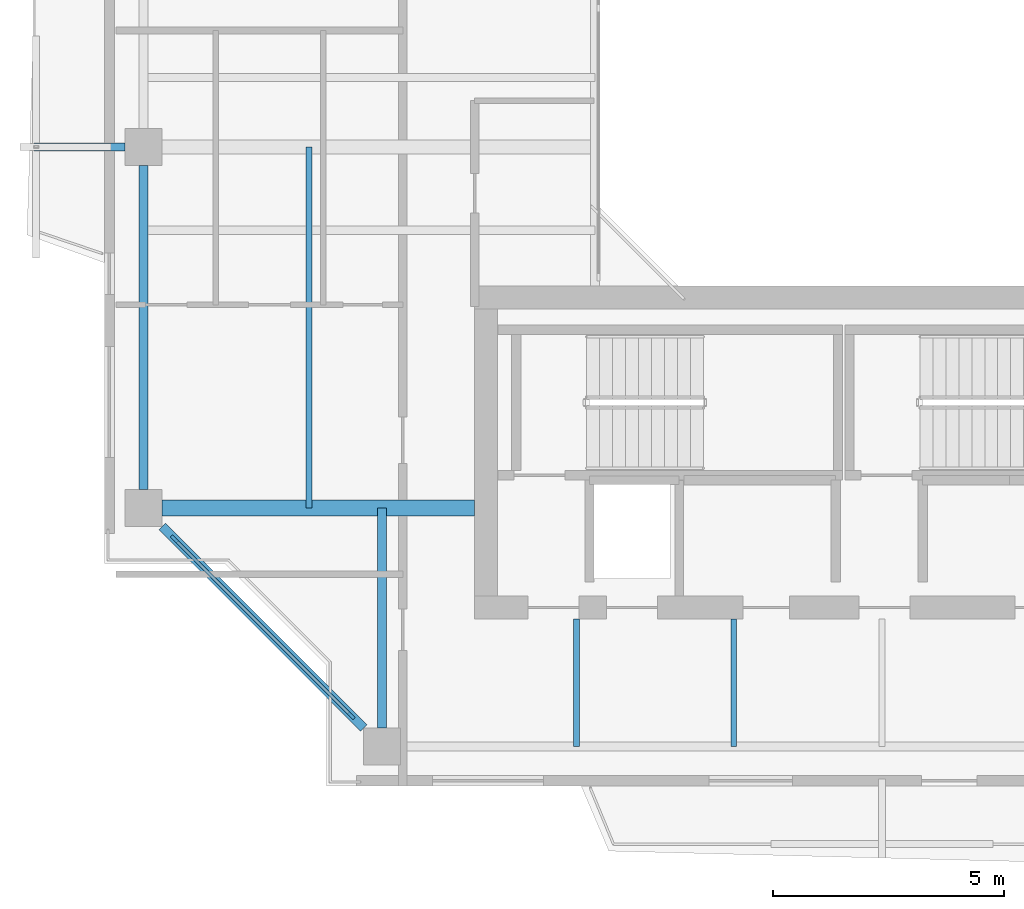
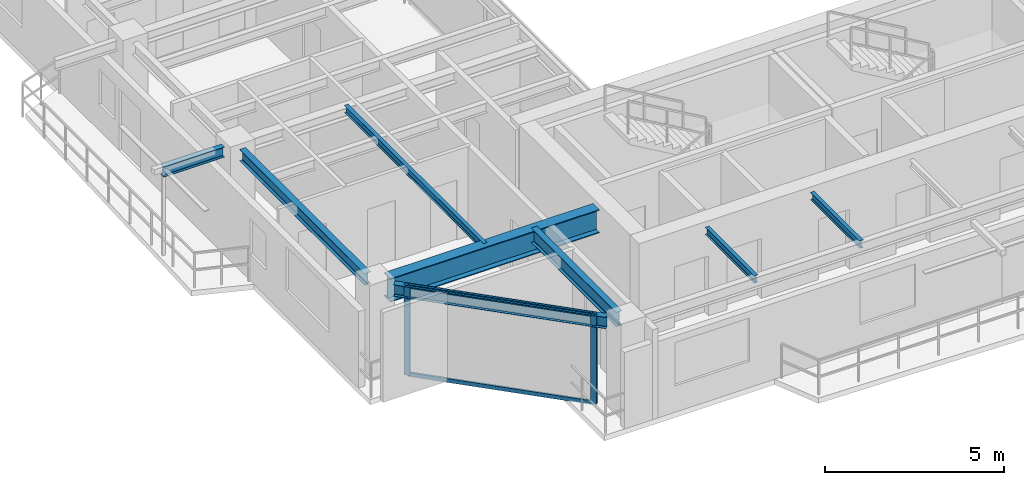
# One storey, part 2 of 16: 8 beams, 4 members, 1 element without a shape of its own.
"""IFC4 building model written with IfcOpenShell, lengths in metres."""

import ifcopenshell
import ifcopenshell.guid

model = None  # the IFC model being written
_history = None  # IfcOwnerHistory: only IFC2X3 demands one
_inside = {}  # id of a spatial element -> (the spatial element, [elements in it])
_under = {}  # id of a project, library or spatial element -> (it, [spatial elements below it])
_declared = {}  # id of a project -> (the project, [libraries it declares])
_typed = {}  # id of a type object -> (the type object, [elements of that type])
_made_of = {}  # id of a material, layer set ... -> (it, [elements and type objects made of it])


def new_model(schema):
    """Start an empty IFC model of exactly this schema.

    Asked for "IFC4X3", IfcOpenShell would pick the latest addendum, in which some entities
    have other attributes; the version numbers below select the first issue.
    IFC2X3 requires an IfcOwnerHistory on every rooted entity: one is made here for all.
    """
    global model, _history
    if schema == "IFC4X3":
        model = ifcopenshell.file(schema_version=(4, 3, 0, 0))
    else:
        model = ifcopenshell.file(schema=schema)
    _inside.clear()
    _under.clear()
    _declared.clear()
    _typed.clear()
    _made_of.clear()
    _history = None
    if model.schema == "IFC2X3":
        org = make("IfcOrganization", Name="unknown")
        user = make(
            "IfcPersonAndOrganization",
            ThePerson=make("IfcPerson", FamilyName="unknown"),
            TheOrganization=org,
        )
        app = make(
            "IfcApplication",
            ApplicationDeveloper=org,
            Version="unknown",
            ApplicationFullName="unknown",
            ApplicationIdentifier="unknown",
        )
        _history = make(
            "IfcOwnerHistory",
            OwningUser=user,
            OwningApplication=app,
            ChangeAction="ADDED",
            CreationDate=0,
        )
    return model


def make(cls, **values):
    """One entity of the class cls with the attributes given. An attribute that is None is left unset."""
    return model.create_entity(
        cls, **{name: value for name, value in values.items() if value is not None}
    )


def rooted(cls, **values):
    """An entity with a GlobalId (a new one), such as an element, a storey or a relation."""
    return make(cls, GlobalId=ifcopenshell.guid.new(), OwnerHistory=_history, **values)


def si_unit(unit_type, name, prefix=None):
    """IfcSIUnit, for example si_unit("LENGTHUNIT", "METRE", prefix="MILLI")."""
    return make("IfcSIUnit", UnitType=unit_type, Prefix=prefix, Name=name)


def assignment(units):
    """IfcUnitAssignment: the units of a project."""
    return None if units is None else make("IfcUnitAssignment", Units=units)


def point(xyz):
    """IfcCartesianPoint."""
    return None if xyz is None else make("IfcCartesianPoint", Coordinates=xyz)


def direction(xyz):
    """IfcDirection."""
    return None if xyz is None else make("IfcDirection", DirectionRatios=xyz)


def frame(location, z_axis=None, x_axis=None):
    """IfcAxis2Placement3D, a coordinate frame: its origin and axes. An axis left out is left unset."""
    return make(
        "IfcAxis2Placement3D",
        Location=point(location),
        Axis=direction(z_axis),
        RefDirection=direction(x_axis),
    )


def frame_2d(location, x_axis=None):
    """IfcAxis2Placement2D, a coordinate frame in the plane: its origin and x axis."""
    return make(
        "IfcAxis2Placement2D", Location=point(location), RefDirection=direction(x_axis)
    )


def origin():
    """The frame at (0, 0, 0) with its axes left unset."""
    return frame((0.0, 0.0, 0.0))


def origin_2d():
    """The frame at (0, 0) in the plane with its x axis left unset."""
    return frame_2d((0.0, 0.0))


def place(relative_to, where):
    """IfcLocalPlacement: puts the frame where relative to a parent placement (None: the world)."""
    return make(
        "IfcLocalPlacement", PlacementRelTo=relative_to, RelativePlacement=where
    )


def context(
    kind, dimensions, precision=None, world=None, true_north=None, identifier=None
):
    """IfcGeometricRepresentationContext, for example the 3D "Model" context."""
    return make(
        "IfcGeometricRepresentationContext",
        ContextIdentifier=identifier,
        ContextType=kind,
        CoordinateSpaceDimension=dimensions,
        Precision=precision,
        WorldCoordinateSystem=world,
        TrueNorth=true_north,
    )


def subcontext(parent, identifier, kind, view, scale=None):
    """IfcGeometricRepresentationSubContext, for example "Body" below "Model"."""
    return make(
        "IfcGeometricRepresentationSubContext",
        ContextIdentifier=identifier,
        ContextType=kind,
        ParentContext=parent,
        TargetScale=scale,
        TargetView=view,
    )


def project(units=None, contexts=None):
    """IfcProject with its units and contexts."""
    return rooted(
        "IfcProject",
        Name="project",
        RepresentationContexts=contexts,
        UnitsInContext=assignment(units),
    )


def spatial(cls, under=None, at=None, **own):
    """A site, building, storey or space (cls), placed at a placement, below another one or the project."""
    s = rooted(cls, ObjectPlacement=at, **own)
    if under is not None:
        _under.setdefault(under.id(), (under, []))[1].append(s)
    return s


def profile(cls, at=None, kind="AREA", **sizes):
    """A parametric profile (cls). Its sizes go by their IFC names, for example OverallWidth=200.0."""
    return make(cls, ProfileType=kind, Position=at, **sizes)


def rectangle(**sizes):
    """IfcRectangleProfileDef."""
    return profile("IfcRectangleProfileDef", **sizes)


def i_section(**sizes):
    """IfcIShapeProfileDef."""
    return profile("IfcIShapeProfileDef", **sizes)


def extrude(swept, where, along, depth):
    """IfcExtrudedAreaSolid: the profile swept, set in the frame where, extruded along a direction by depth."""
    return make(
        "IfcExtrudedAreaSolid",
        SweptArea=swept,
        Position=where,
        ExtrudedDirection=direction(along),
        Depth=depth,
    )


def shape(context_of_items, identifier, shape_type, items):
    """IfcShapeRepresentation: the items that make up one representation, for example the "Body"."""
    return make(
        "IfcShapeRepresentation",
        ContextOfItems=context_of_items,
        RepresentationIdentifier=identifier,
        RepresentationType=shape_type,
        Items=items,
    )


def source(mapping_origin, context_of_items, identifier, shape_type, items):
    """IfcRepresentationMap: a shape defined once, which mapped items show again and again."""
    return make(
        "IfcRepresentationMap",
        MappingOrigin=mapping_origin,
        MappedRepresentation=shape(context_of_items, identifier, shape_type, items),
    )


def transform(
    local_origin,
    x_axis=None,
    y_axis=None,
    z_axis=None,
    scale=None,
    scale2=None,
    scale3=None,
    uniform=True,
):
    """IfcCartesianTransformationOperator3D, or its non-uniform kind. x_axis, y_axis, z_axis: its Axis1, 2, 3."""
    if uniform:
        return make(
            "IfcCartesianTransformationOperator3D",
            Axis1=direction(x_axis),
            Axis2=direction(y_axis),
            LocalOrigin=point(local_origin),
            Scale=scale,
            Axis3=direction(z_axis),
        )
    return make(
        "IfcCartesianTransformationOperator3DnonUniform",
        Axis1=direction(x_axis),
        Axis2=direction(y_axis),
        LocalOrigin=point(local_origin),
        Scale=scale,
        Axis3=direction(z_axis),
        Scale2=scale2,
        Scale3=scale3,
    )


def mapped(mapping_source, mapping_target):
    """IfcMappedItem: shows the shape of a source again, moved by a transform."""
    return make(
        "IfcMappedItem", MappingSource=mapping_source, MappingTarget=mapping_target
    )


def material(Name=None, Category=None):
    """IfcMaterial."""
    return make("IfcMaterial", Name=Name, Category=Category)


def layer(
    of_material, thickness, ventilated=None, Name=None, Category=None, Priority=None
):
    """IfcMaterialLayer: one layer of a wall or slab, of a material (None: an air gap)."""
    return make(
        "IfcMaterialLayer",
        Material=of_material,
        LayerThickness=thickness,
        IsVentilated=ventilated,
        Name=Name,
        Category=Category,
        Priority=Priority,
    )


def layer_set(layers, Name=None):
    """IfcMaterialLayerSet."""
    return make("IfcMaterialLayerSet", MaterialLayers=layers, LayerSetName=Name)


def material_profile(
    of_material, cross_section, Name=None, Category=None, Priority=None
):
    """IfcMaterialProfile: a cross section and its material."""
    return make(
        "IfcMaterialProfile",
        Name=Name,
        Material=of_material,
        Profile=cross_section,
        Priority=Priority,
        Category=Category,
    )


def profile_set(profiles, Name=None, composite=None):
    """IfcMaterialProfileSet."""
    return make(
        "IfcMaterialProfileSet",
        Name=Name,
        MaterialProfiles=profiles,
        CompositeProfile=composite,
    )


def made_of(thing, what):
    """Note that an element or type object is made of a material, layer set ...; save() writes the relation."""
    if what is not None:
        _made_of.setdefault(what.id(), (what, []))[1].append(thing)
    return thing


def type_object(cls, material=None, **own):
    """A type object (cls), such as IfcWallType, which elements share."""
    return made_of(rooted(cls, **own), material)


def element(
    cls,
    number,
    at=None,
    inside=None,
    cuts=None,
    type_object=None,
    material=None,
    context=None,
    identifier="Body",
    shape_type=None,
    held_by="IfcProductDefinitionShape",
    body=None,
    shapes=None,
    **own,
):
    """One element of the class cls, such as IfcWall. Its Tag is "e" and its number.

    at: its placement. inside: the storey or other place that contains it. cuts: it is an
    opening in that element (IfcRelVoidsElement). A single representation is given by context,
    identifier, shape_type and body (its items); several are given by shapes. held_by: the class
    of the entity that holds the representations. save() writes the other relations.
    """
    e = rooted(cls, Tag="e%d" % number, ObjectPlacement=at, **own)
    if body is not None:
        shapes = [shape(context, identifier, shape_type, body)]
    if shapes is not None:
        e.Representation = make(held_by, Representations=shapes)
    if inside is not None:
        _inside.setdefault(inside.id(), (inside, []))[1].append(e)
    if cuts is not None:
        rooted(
            "IfcRelVoidsElement", RelatingBuildingElement=cuts, RelatedOpeningElement=e
        )
    if type_object is not None:
        _typed.setdefault(type_object.id(), (type_object, []))[1].append(e)
    return made_of(e, material)


def aggregate(whole, parts):
    """IfcRelAggregates: a whole, such as a stair, and the parts it consists of."""
    return rooted("IfcRelAggregates", RelatingObject=whole, RelatedObjects=parts)


def save(model, path):
    """Write the relations noted so far, then the file.

    IfcRelAggregates (storeys below a building ...), IfcRelContainedInSpatialStructure (elements
    in a storey), IfcRelDefinesByType, IfcRelAssociatesMaterial and IfcRelDeclares: one each for
    every whole, place, type object, material and project.
    """
    for whole, parts in _under.values():
        aggregate(whole, parts)
    for where, things in _inside.values():
        rooted(
            "IfcRelContainedInSpatialStructure",
            RelatedElements=things,
            RelatingStructure=where,
        )
    for kind, things in _typed.values():
        rooted("IfcRelDefinesByType", RelatedObjects=things, RelatingType=kind)
    for what, things in _made_of.values():
        rooted("IfcRelAssociatesMaterial", RelatedObjects=things, RelatingMaterial=what)
    for by, libraries in _declared.values():
        rooted("IfcRelDeclares", RelatingContext=by, RelatedDefinitions=libraries)
    model.write(path)


model = new_model("IFC4")

# Units and contexts
model_context = context("Model", 3, precision=1e-05, world=origin(), true_north=direction((0.0, 1.0)))
body_context = subcontext(model_context, "Body", "Model", "MODEL_VIEW")
ifc_project = project(units=[si_unit("LENGTHUNIT", "METRE"), si_unit("AREAUNIT", "SQUARE_METRE"), si_unit("VOLUMEUNIT", "CUBIC_METRE"), si_unit("PLANEANGLEUNIT", "RADIAN"), si_unit("MASSUNIT", "GRAM", prefix="KILO"), si_unit("THERMODYNAMICTEMPERATUREUNIT", "KELVIN"), si_unit("POWERUNIT", "WATT")], contexts=[model_context])

# Site, building, storey
site_placement = place(None, origin())
site = spatial("IfcSite", under=ifc_project, at=site_placement, CompositionType="ELEMENT")
building_placement = place(site_placement, origin())
building = spatial("IfcBuilding", under=site, at=building_placement, Name="Qiaomeng Ring Towers", CompositionType="ELEMENT")
storey_placement = place(building_placement, frame((0.0, 0.0, 197.0)))
storey = spatial("IfcBuildingStorey", under=building, at=storey_placement, Name="L57", CompositionType="ELEMENT", Elevation=197.0)

# Beams
ifc_material_1 = material(Name="Steel Q355B", Category="steel")
ifc_material_profile_1 = material_profile(ifc_material_1, i_section(OverallWidth=0.198974609375, OverallDepth=0.39599609375, WebThickness=0.007080078125, FlangeThickness=0.010986328125, FilletRadius=0.01611328125, at=origin_2d()), Name="HN 396x199x7x11")
ifc_profile_set_1 = profile_set([ifc_material_profile_1], Name="Steel Q355B")
beam_type_1 = type_object("IfcBeamType", Name="STR-BM-HN396", PredefinedType="SPANDREL", material=ifc_profile_set_1)
shared_shape_1 = source(origin(), body_context, "Body", "SweptSolid", [
    extrude(i_section(OverallWidth=0.198974609375, OverallDepth=0.39599609375, WebThickness=0.007080078125, FlangeThickness=0.010986328125, FilletRadius=0.01611328125, at=origin_2d()), origin(), (0.0, 0.0, 1.0), 6.154052734375),
])
beam_1_placement = place(storey_placement, frame((3.44921875, 11.80078125, 2.8720703125), z_axis=(0.707106781187, -0.707106781187, 0.0), x_axis=(0.707106781187, 0.707106781187, 0.0)))
element("IfcBeam", 1, at=beam_1_placement, inside=storey, type_object=beam_type_1, Name="L57 beam STR-SP-L57-T1-W1-S1", PredefinedType="SPANDREL", context=body_context, shape_type="MappedRepresentation", body=[
    mapped(shared_shape_1, transform((0.0, 0.0, 0.0), x_axis=(1.0, 0.0, 0.0), y_axis=(0.0, 1.0, 0.0), z_axis=(0.0, 0.0, 1.0), scale=1.0)),
])
shared_shape_2 = source(origin(), body_context, "Body", "SweptSolid", [
    extrude(i_section(OverallWidth=0.198974609375, OverallDepth=0.39599609375, WebThickness=0.007080078125, FlangeThickness=0.010986328125, FilletRadius=0.01611328125, at=origin_2d()), origin(), (0.0, 0.0, 1.0), 7.001953125),
])
beam_2_placement = place(storey_placement, frame((3.050048828125, 19.60107421875, 2.8720703125), z_axis=(0.0, -1.0, 0.0), x_axis=(1.0, 0.0, 0.0)))
element("IfcBeam", 2, at=beam_2_placement, inside=storey, type_object=beam_type_1, Name="L57 beam STR-SP-L57-T1-W2-W1", PredefinedType="SPANDREL", context=body_context, shape_type="MappedRepresentation", body=[
    mapped(shared_shape_2, transform((0.0, 0.0, 0.0), x_axis=(1.0, 0.0, 0.0), y_axis=(0.0, 1.0, 0.0), z_axis=(0.0, 0.0, 1.0), scale=1.0)),
])
ifc_material_2 = material(Name="Steel Q390GJC", Category="steel")
ifc_material_profile_2 = material_profile(ifc_material_2, i_section(OverallWidth=0.35009765625, OverallDepth=0.800048828125, WebThickness=0.01611328125, FlangeThickness=0.028076171875, at=origin_2d()), Name="WH 800x350x16x28")
ifc_profile_set_2 = profile_set([ifc_material_profile_2], Name="Steel Q390GJC")
beam_type_2 = type_object("IfcBeamType", Name="STR-BM-WH800", PredefinedType="BEAM", material=ifc_profile_set_2)
shared_shape_3 = source(origin(), body_context, "Body", "SweptSolid", [
    extrude(i_section(OverallWidth=0.35009765625, OverallDepth=0.800048828125, WebThickness=0.01611328125, FlangeThickness=0.028076171875, at=origin_2d()), origin(), (0.0, 0.0, 1.0), 6.7509765625),
])
beam_3_placement = place(storey_placement, frame((3.448974609375, 12.199951171875, 2.669921875), z_axis=(1.0, 0.0, 0.0), x_axis=(0.0, 1.0, 0.0)))
element("IfcBeam", 3, at=beam_3_placement, inside=storey, type_object=beam_type_2, Name="L57 beam STR-BM-L57-T1-RAD-W1", PredefinedType="BEAM", context=body_context, shape_type="MappedRepresentation", body=[
    mapped(shared_shape_3, transform((0.0, 0.0, 0.0), x_axis=(1.0, 0.0, 0.0), y_axis=(0.0, 1.0, 0.0), z_axis=(0.0, 0.0, 1.0), scale=1.0)),
])
ifc_material_profile_3 = material_profile(ifc_material_1, i_section(OverallWidth=0.199951171875, OverallDepth=0.5, WebThickness=0.010009765625, FlangeThickness=0.01611328125, FilletRadius=0.02001953125, at=origin_2d()), Name="HN 500x200x10x16")
ifc_profile_set_3 = profile_set([ifc_material_profile_3], Name="Steel Q355B")
beam_type_3 = type_object("IfcBeamType", Name="STR-BM-HN500", PredefinedType="BEAM", material=ifc_profile_set_3)
shared_shape_4 = source(origin(), body_context, "Body", "SweptSolid", [
    extrude(i_section(OverallWidth=0.199951171875, OverallDepth=0.5, WebThickness=0.010009765625, FlangeThickness=0.01611328125, FilletRadius=0.02001953125, at=origin_2d()), origin(), (0.0, 0.0, 1.0), 4.7509765625),
])
beam_4_placement = place(storey_placement, frame((8.199951171875, 7.448974609375, 2.820068359375), z_axis=(0.0, 1.0, 0.0), x_axis=(-1.0, 0.0, 0.0)))
element("IfcBeam", 4, at=beam_4_placement, inside=storey, type_object=beam_type_3, Name="L57 beam STR-BM-L57-T1-RAD-S1", PredefinedType="BEAM", context=body_context, shape_type="MappedRepresentation", body=[
    mapped(shared_shape_4, transform((0.0, 0.0, 0.0), x_axis=(1.0, 0.0, 0.0), y_axis=(0.0, 1.0, 0.0), z_axis=(0.0, 0.0, 1.0), scale=1.0)),
])
ifc_material_profile_4 = material_profile(ifc_material_1, i_section(OverallWidth=0.175048828125, OverallDepth=0.35009765625, WebThickness=0.007080078125, FlangeThickness=0.010986328125, FilletRadius=0.013916015625, at=origin_2d()), Name="HN 350x175x7x11")
ifc_profile_set_4 = profile_set([ifc_material_profile_4], Name="Steel Q355B")
beam_type_4 = type_object("IfcBeamType", Name="STR-BM-HN350", PredefinedType="JOIST", material=ifc_profile_set_4)
shared_shape_5 = source(origin(), body_context, "Body", "SweptSolid", [
    extrude(i_section(OverallWidth=0.175048828125, OverallDepth=0.35009765625, WebThickness=0.007080078125, FlangeThickness=0.010986328125, FilletRadius=0.013916015625, at=origin_2d()), origin(), (0.0, 0.0, 1.0), 1.970947265625),
])
beam_5_placement = place(storey_placement, frame((0.679931640625, 20.0, 2.89501953125), z_axis=(1.0, 0.0, 0.0), x_axis=(0.0, 1.0, 0.0)))
element("IfcBeam", 5, at=beam_5_placement, inside=storey, type_object=beam_type_4, Name="L57 beam STR-BALBM-L57-W2", PredefinedType="JOIST", context=body_context, shape_type="MappedRepresentation", body=[
    mapped(shared_shape_5, transform((0.0, 0.0, 0.0), x_axis=(1.0, 0.0, 0.0), y_axis=(0.0, 1.0, 0.0), z_axis=(0.0, 0.0, 1.0), scale=1.0)),
])
ifc_material_profile_5 = material_profile(ifc_material_1, i_section(OverallWidth=0.125, OverallDepth=0.25, WebThickness=0.006103515625, FlangeThickness=0.009033203125, FilletRadius=0.011962890625, at=origin_2d()), Name="HN 250x125x6x9")
ifc_profile_set_5 = profile_set([ifc_material_profile_5], Name="Steel Q355B")
beam_type_5 = type_object("IfcBeamType", Name="STR-BM-HN250", PredefinedType="JOIST", material=ifc_profile_set_5)
shared_shape_6 = source(origin(), body_context, "Body", "SweptSolid", [
    extrude(i_section(OverallWidth=0.125, OverallDepth=0.25, WebThickness=0.006103515625, FlangeThickness=0.009033203125, FilletRadius=0.011962890625, at=origin_2d()), origin(), (0.0, 0.0, 1.0), 2.75),
])
for number, where, z_axis, x_axis, name in (
    (6, (12.39990234375, 7.050048828125, 2.945068359375), (0.0, 1.0, 0.0), (-1.0, 0.0, 0.0), "L57 beam STR-JST-L57-T1S-1"),
    (7, (15.800048828125, 7.050048828125, 2.945068359375), (0.0, 1.0, 0.0), (-1.0, 0.0, 0.0), "L57 beam STR-JST-L57-T1S-2"),
):
    element("IfcBeam", number, at=place(storey_placement, frame(where, z_axis=z_axis, x_axis=x_axis)), inside=storey, type_object=beam_type_5, Name=name, PredefinedType="JOIST", context=body_context, shape_type="MappedRepresentation", body=[
        mapped(shared_shape_6, transform((0.0, 0.0, 0.0), x_axis=(1.0, 0.0, 0.0), y_axis=(0.0, 1.0, 0.0), z_axis=(0.0, 0.0, 1.0), scale=1.0)),
    ])
shared_shape_7 = source(origin(), body_context, "Body", "SweptSolid", [
    extrude(i_section(OverallWidth=0.125, OverallDepth=0.25, WebThickness=0.006103515625, FlangeThickness=0.009033203125, FilletRadius=0.011962890625, at=origin_2d()), origin(), (0.0, 0.0, 1.0), 7.800048828125),
])
beam_6_placement = place(storey_placement, frame((6.625, 12.199951171875, 2.945068359375), z_axis=(0.0, 1.0, 0.0), x_axis=(-1.0, 0.0, 0.0)))
element("IfcBeam", 8, at=beam_6_placement, inside=storey, type_object=beam_type_5, Name="L57 beam STR-JST-L57-T1C-WS", PredefinedType="JOIST", context=body_context, shape_type="MappedRepresentation", body=[
    mapped(shared_shape_7, transform((0.0, 0.0, 0.0), x_axis=(1.0, 0.0, 0.0), y_axis=(0.0, 1.0, 0.0), z_axis=(0.0, 0.0, 1.0), scale=1.0)),
])

# Curtain wall, members
ifc_material_3 = material(Name="Fluorocarbon dark-grey aluminium", Category="aluminium")
ifc_layer = layer(ifc_material_3, 0.14990234375, Name="Fluorocarbon dark-grey aluminium")
ifc_layer_set = layer_set([ifc_layer], Name="Fluorocarbon dark-grey aluminium")
curtain_wall_type = type_object("IfcCurtainWallType", Name="ARC-CW-3", PredefinedType="NOTDEFINED", material=ifc_layer_set)
curtain_wall_placement = place(storey_placement, origin())
curtain_wall = element("IfcCurtainWall", 9, at=curtain_wall_placement, inside=storey, type_object=curtain_wall_type, Name="L57 Curtain Wall CW3", PredefinedType="NOTDEFINED")
ifc_material_profile_6 = material_profile(ifc_material_3, rectangle(XDim=0.070068359375, YDim=0.179931640625, at=origin_2d()), Name="ALU MULL 70x180")
ifc_profile_set_6 = profile_set([ifc_material_profile_6], Name="Fluorocarbon dark-grey aluminium")
member_type_1 = type_object("IfcMemberType", Name="ARC-CWM-160", PredefinedType="MULLION", material=ifc_profile_set_6)
shared_shape_8 = source(origin(), body_context, "Body", "SweptSolid", [
    extrude(rectangle(XDim=0.070068359375, YDim=0.179931640625, at=origin_2d()), origin(), (0.0, 0.0, 1.0), 3.070068359375),
])
member_1_placement = place(storey_placement, frame((3.71484375, 11.53515625, 0.0), z_axis=(0.0, 0.0, 1.0), x_axis=(0.707106781187, 0.707106781187, 0.0)))
member_1 = element("IfcMember", 10, at=member_1_placement, type_object=member_type_1, Name="CW3 mullion 1", PredefinedType="MULLION", context=body_context, shape_type="MappedRepresentation", body=[
    mapped(shared_shape_8, transform((0.0, 0.0, 0.0), x_axis=(1.0, 0.0, 0.0), y_axis=(0.0, 1.0, 0.0), z_axis=(0.0, 0.0, 1.0), scale=1.0)),
])
member_2_placement = place(storey_placement, frame((7.53515625, 7.71484375, 0.0), z_axis=(0.0, 0.0, 1.0), x_axis=(0.707106781187, 0.707106781187, 0.0)))
member_2 = element("IfcMember", 11, at=member_2_placement, type_object=member_type_1, Name="CW3 mullion 2", PredefinedType="MULLION", context=body_context, shape_type="MappedRepresentation", body=[
    mapped(shared_shape_8, transform((0.0, 0.0, 0.0), x_axis=(1.0, 0.0, 0.0), y_axis=(0.0, 1.0, 0.0), z_axis=(0.0, 0.0, 1.0), scale=1.0)),
])
ifc_material_profile_7 = material_profile(ifc_material_3, rectangle(XDim=0.06494140625, YDim=0.1298828125, at=origin_2d()), Name="ALU TRAN 65x130")
ifc_profile_set_7 = profile_set([ifc_material_profile_7], Name="Fluorocarbon dark-grey aluminium")
member_type_2 = type_object("IfcMemberType", Name="ARC-CWT-120", PredefinedType="USERDEFINED", material=ifc_profile_set_7)
shared_shape_9 = source(origin(), body_context, "Body", "SweptSolid", [
    extrude(rectangle(XDim=0.06494140625, YDim=0.1298828125, at=origin_2d()), origin(), (0.0, 0.0, 1.0), 5.3330078125),
])
member_3_placement = place(storey_placement, frame((3.739501953125, 11.510498046875, 0.032470703125), z_axis=(0.707106781187, -0.707106781187, 0.0), x_axis=(0.707106781187, 0.707106781187, 0.0)))
member_3 = element("IfcMember", 12, at=member_3_placement, type_object=member_type_2, Name="CW3 transom 1.1", ObjectType="TRANSOM", PredefinedType="USERDEFINED", context=body_context, shape_type="MappedRepresentation", body=[
    mapped(shared_shape_9, transform((0.0, 0.0, 0.0), x_axis=(1.0, 0.0, 0.0), y_axis=(0.0, 1.0, 0.0), z_axis=(0.0, 0.0, 1.0), scale=1.0)),
])
member_4_placement = place(storey_placement, frame((3.739501953125, 11.510498046875, 3.03759765625), z_axis=(0.707106781187, -0.707106781187, 0.0), x_axis=(0.707106781187, 0.707106781187, 0.0)))
member_4 = element("IfcMember", 13, at=member_4_placement, type_object=member_type_2, Name="CW3 transom 1.2", ObjectType="TRANSOM", PredefinedType="USERDEFINED", context=body_context, shape_type="MappedRepresentation", body=[
    mapped(shared_shape_9, transform((0.0, 0.0, 0.0), x_axis=(1.0, 0.0, 0.0), y_axis=(0.0, 1.0, 0.0), z_axis=(0.0, 0.0, 1.0), scale=1.0)),
])
aggregate(curtain_wall, [member_1, member_2, member_3, member_4])

save(model, "model.ifc")
